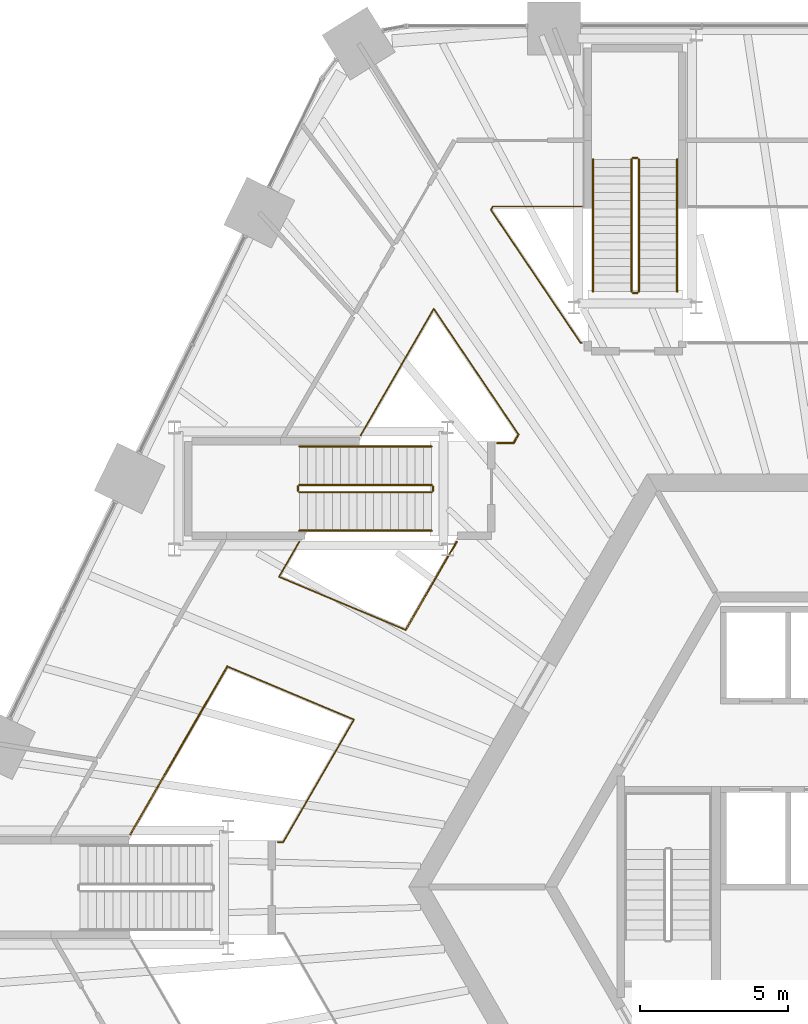
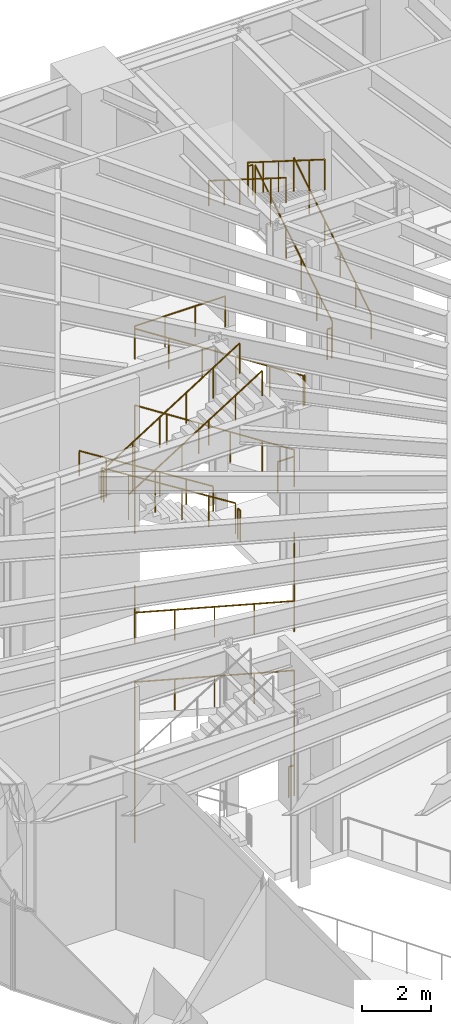
# One storey, part 30 of 32: 19 railings.
"""IFC4 building model written with IfcOpenShell, lengths in metres."""

from ifc_helpers import new_model, si_unit, direction, frame, origin, origin_2d, place, context, subcontext, project, spatial, circle, extrude, material, type_object, element, save


model = new_model("IFC4")

# Units and contexts
model_context = context("Model", 3, precision=1e-05, world=origin(), true_north=direction((0.0, 1.0)))
body_context = subcontext(model_context, "Body", "Model", "MODEL_VIEW")
ifc_project = project(units=[si_unit("LENGTHUNIT", "METRE"), si_unit("AREAUNIT", "SQUARE_METRE"), si_unit("VOLUMEUNIT", "CUBIC_METRE"), si_unit("PLANEANGLEUNIT", "RADIAN"), si_unit("MASSUNIT", "GRAM", prefix="KILO")], contexts=[model_context])

# Site, building, storey
site_placement = place(None, origin())
site = spatial("IfcSite", under=ifc_project, at=site_placement, CompositionType="ELEMENT")
building_placement = place(site_placement, origin())
building = spatial("IfcBuilding", under=site, at=building_placement, Name="Tarnside Tower", CompositionType="ELEMENT")
storey_placement = place(building_placement, frame((0.0, 0.0, 9.0)))
storey = spatial("IfcBuildingStorey", under=building, at=storey_placement, Name="L01", CompositionType="ELEMENT", Elevation=9.0)

# Railings
ifc_material_1 = material(Name="Safety glass", Category="glass")
railing_type_1 = type_object("IfcRailingType", Name="Guard 1100 glass", PredefinedType="GUARDRAIL", material=ifc_material_1)
railing_1_placement = place(storey_placement, frame((-10.289794921875, 18.43994140625, 0.0)))
element("IfcRailing", 1, at=railing_1_placement, inside=storey, type_object=railing_type_1, Name="Guard 16", PredefinedType="GUARDRAIL", context=body_context, shape_type="SweptSolid", body=[
    extrude(circle(Radius=0.02392578125, at=origin_2d()), frame((0.0, 0.0, 1.076171875), z_axis=(-1.0, 0.0, 0.0), x_axis=(0.0, -1.0, 0.0)), (0.0, 0.0, 1.0), 0.04931640625),
    extrude(circle(Radius=0.02392578125, at=origin_2d()), frame((-0.04931640625, 0.0, 1.076171875), z_axis=(-0.559179716336, 0.829046467237, 0.0), x_axis=(-0.829046467237, -0.559179716336, 0.0)), (0.0, 0.0, 1.0), 5.436279296875),
    extrude(circle(Radius=0.02392578125, at=origin_2d()), frame((-3.089111328125, 4.5068359375, 1.076171875), z_axis=(0.498751866102, 0.866744815998, 0.0), x_axis=(-0.866744815998, 0.498751866102, 0.0)), (0.0, 0.0, 1.0), 0.130615234375),
    extrude(circle(Radius=0.02392578125, at=origin_2d()), frame((-3.02392578125, 4.6201171875, 1.076171875), z_axis=(1.0, 0.0, 0.0), x_axis=(0.0, 1.0, 0.0)), (0.0, 0.0, 1.0), 3.02392578125),
    extrude(circle(Radius=0.02099609375, at=origin_2d()), origin(), (0.0, 0.0, 1.0), 1.052001953125),
    extrude(circle(Radius=0.02099609375, at=origin_2d()), frame((-0.04931640625, 0.0, 0.0)), (0.0, 0.0, 1.0), 1.052001953125),
    extrude(circle(Radius=0.02099609375, at=origin_2d()), frame((-0.6572265625, 0.9013671875, 0.0)), (0.0, 0.0, 1.0), 1.052001953125),
    extrude(circle(Radius=0.02099609375, at=origin_2d()), frame((-1.26513671875, 1.802734375, 0.0)), (0.0, 0.0, 1.0), 1.052001953125),
    extrude(circle(Radius=0.02099609375, at=origin_2d()), frame((-1.873291015625, 2.7041015625, 0.0)), (0.0, 0.0, 1.0), 1.052001953125),
    extrude(circle(Radius=0.02099609375, at=origin_2d()), frame((-2.481201171875, 3.60546875, 0.0)), (0.0, 0.0, 1.0), 1.052001953125),
    extrude(circle(Radius=0.02099609375, at=origin_2d()), frame((-3.089111328125, 4.5068359375, 0.0)), (0.0, 0.0, 1.0), 1.052001953125),
    extrude(circle(Radius=0.02099609375, at=origin_2d()), frame((-3.02392578125, 4.6201171875, 0.0)), (0.0, 0.0, 1.0), 1.052001953125),
    extrude(circle(Radius=0.02099609375, at=origin_2d()), frame((-2.015869140625, 4.6201171875, 0.0)), (0.0, 0.0, 1.0), 1.052001953125),
    extrude(circle(Radius=0.02099609375, at=origin_2d()), frame((-1.008056640625, 4.6201171875, 0.0)), (0.0, 0.0, 1.0), 1.052001953125),
    extrude(circle(Radius=0.02099609375, at=origin_2d()), frame((0.0, 4.6201171875, 0.0)), (0.0, 0.0, 1.0), 1.052001953125),
])
railing_2_placement = place(storey_placement, frame((-12.440673828125, 15.332275390625, 0.0)))
element("IfcRailing", 2, at=railing_2_placement, inside=storey, type_object=railing_type_1, Name="Guard 17", PredefinedType="GUARDRAIL", context=body_context, shape_type="SweptSolid", body=[
    extrude(circle(Radius=0.02392578125, at=origin_2d()), frame((0.0, 0.0, 1.076171875), z_axis=(-0.499952099219, -0.866053057547, 0.0), x_axis=(0.866053057547, -0.499952099219, 0.0)), (0.0, 0.0, 1.0), 0.33740234375),
    extrude(circle(Radius=0.02392578125, at=origin_2d()), frame((-0.168701171875, -0.292236328125, 1.076171875), z_axis=(-1.0, 0.0, 0.0), x_axis=(0.0, -1.0, 0.0)), (0.0, 0.0, 1.0), 0.5556640625),
    extrude(circle(Radius=0.02099609375, at=origin_2d()), origin(), (0.0, 0.0, 1.0), 1.052001953125),
    extrude(circle(Radius=0.02099609375, at=origin_2d()), frame((-0.168701171875, -0.292236328125, 0.0)), (0.0, 0.0, 1.0), 1.052001953125),
    extrude(circle(Radius=0.02099609375, at=origin_2d()), frame((-0.724365234375, -0.292236328125, 0.0)), (0.0, 0.0, 1.0), 1.052001953125),
])
railing_3_placement = place(storey_placement, frame((-17.7939453125, 15.300048828125, 0.0)))
element("IfcRailing", 3, at=railing_3_placement, inside=storey, type_object=railing_type_1, Name="Guard 18", PredefinedType="GUARDRAIL", context=body_context, shape_type="SweptSolid", body=[
    extrude(circle(Radius=0.02392578125, at=origin_2d()), frame((0.0, 0.0, 1.076171875), z_axis=(0.500005200548, 0.866022401226, 0.0), x_axis=(-0.866022401226, 0.500005200548, 0.0)), (0.0, 0.0, 1.0), 4.9580078125),
    extrude(circle(Radius=0.02392578125, at=origin_2d()), frame((2.47900390625, 4.293701171875, 1.076171875), z_axis=(0.559175074211, -0.829049598264, 0.0), x_axis=(0.829049598264, 0.559175074211, 0.0)), (0.0, 0.0, 1.0), 5.14013671875),
    extrude(circle(Radius=0.02099609375, at=origin_2d()), origin(), (0.0, 0.0, 1.0), 1.052001953125),
    extrude(circle(Radius=0.02099609375, at=origin_2d()), frame((0.495849609375, 0.858642578125, 0.0)), (0.0, 0.0, 1.0), 1.052001953125),
    extrude(circle(Radius=0.02099609375, at=origin_2d()), frame((0.99169921875, 1.717529296875, 0.0)), (0.0, 0.0, 1.0), 1.052001953125),
    extrude(circle(Radius=0.02099609375, at=origin_2d()), frame((1.4873046875, 2.576171875, 0.0)), (0.0, 0.0, 1.0), 1.052001953125),
    extrude(circle(Radius=0.02099609375, at=origin_2d()), frame((1.983154296875, 3.43505859375, 0.0)), (0.0, 0.0, 1.0), 1.052001953125),
    extrude(circle(Radius=0.02099609375, at=origin_2d()), frame((2.47900390625, 4.293701171875, 0.0)), (0.0, 0.0, 1.0), 1.052001953125),
    extrude(circle(Radius=0.02099609375, at=origin_2d()), frame((3.053955078125, 3.44140625, 0.0)), (0.0, 0.0, 1.0), 1.052001953125),
    extrude(circle(Radius=0.02099609375, at=origin_2d()), frame((3.628662109375, 2.589111328125, 0.0)), (0.0, 0.0, 1.0), 1.052001953125),
    extrude(circle(Radius=0.02099609375, at=origin_2d()), frame((4.20361328125, 1.73681640625, 0.0)), (0.0, 0.0, 1.0), 1.052001953125),
    extrude(circle(Radius=0.02099609375, at=origin_2d()), frame((4.7783203125, 0.884521484375, 0.0)), (0.0, 0.0, 1.0), 1.052001953125),
    extrude(circle(Radius=0.02099609375, at=origin_2d()), frame((5.353271484375, 0.0322265625, 0.0)), (0.0, 0.0, 1.0), 1.052001953125),
])
railing_4_placement = place(storey_placement, frame((-16.265380859375, 8.70751953125, 0.0)))
element("IfcRailing", 4, at=railing_4_placement, inside=storey, type_object=railing_type_1, Name="Guard 19", PredefinedType="GUARDRAIL", context=body_context, shape_type="SweptSolid", body=[
    extrude(circle(Radius=0.02392578125, at=origin_2d()), frame((0.0, 0.0, 1.076171875), z_axis=(-0.922199809455, 0.386713733194, 0.0), x_axis=(-0.386713733194, -0.922199809455, 0.0)), (0.0, 0.0, 1.0), 4.6572265625),
    extrude(circle(Radius=0.02392578125, at=origin_2d()), frame((-4.294921875, 1.801025390625, 1.076171875), z_axis=(0.500070628392, 0.865984622623, 0.0), x_axis=(-0.865984622623, 0.500070628392, 0.0)), (0.0, 0.0, 1.0), 1.375732421875),
    extrude(circle(Radius=0.02099609375, at=origin_2d()), origin(), (0.0, 0.0, 1.0), 1.052001953125),
    extrude(circle(Radius=0.02099609375, at=origin_2d()), frame((-1.07373046875, 0.4501953125, 0.0)), (0.0, 0.0, 1.0), 1.052001953125),
    extrude(circle(Radius=0.02099609375, at=origin_2d()), frame((-2.1474609375, 0.900390625, 0.0)), (0.0, 0.0, 1.0), 1.052001953125),
    extrude(circle(Radius=0.02099609375, at=origin_2d()), frame((-3.22119140625, 1.350830078125, 0.0)), (0.0, 0.0, 1.0), 1.052001953125),
    extrude(circle(Radius=0.02099609375, at=origin_2d()), frame((-4.294921875, 1.801025390625, 0.0)), (0.0, 0.0, 1.0), 1.052001953125),
    extrude(circle(Radius=0.02099609375, at=origin_2d()), frame((-3.950927734375, 2.396728515625, 0.0)), (0.0, 0.0, 1.0), 1.052001953125),
    extrude(circle(Radius=0.02099609375, at=origin_2d()), frame((-3.60693359375, 2.992431640625, 0.0)), (0.0, 0.0, 1.0), 1.052001953125),
])
railing_5_placement = place(storey_placement, frame((-14.53759765625, 11.699951171875, 0.0)))
element("IfcRailing", 5, at=railing_5_placement, inside=storey, type_object=railing_type_1, Name="Guard 20", PredefinedType="GUARDRAIL", context=body_context, shape_type="SweptSolid", body=[
    extrude(circle(Radius=0.02392578125, at=origin_2d()), frame((0.0, 0.0, 1.076171875), z_axis=(-0.500022136814, -0.866012622712, 0.0), x_axis=(0.866012622712, -0.500022136814, 0.0)), (0.0, 0.0, 1.0), 3.455322265625),
    extrude(circle(Radius=0.02099609375, at=origin_2d()), origin(), (0.0, 0.0, 1.0), 1.052001953125),
    extrude(circle(Radius=0.02099609375, at=origin_2d()), frame((-0.575927734375, -0.99755859375, 0.0)), (0.0, 0.0, 1.0), 1.052001953125),
    extrude(circle(Radius=0.02099609375, at=origin_2d()), frame((-1.15185546875, -1.994873046875, 0.0)), (0.0, 0.0, 1.0), 1.052001953125),
    extrude(circle(Radius=0.02099609375, at=origin_2d()), frame((-1.727783203125, -2.992431640625, 0.0)), (0.0, 0.0, 1.0), 1.052001953125),
])
railing_6_placement = place(storey_placement, frame((-22.314453125, 7.470458984375, 0.0)))
element("IfcRailing", 6, at=railing_6_placement, inside=storey, type_object=railing_type_1, Name="Guard 21", PredefinedType="GUARDRAIL", context=body_context, shape_type="SweptSolid", body=[
    extrude(circle(Radius=0.02392578125, at=origin_2d()), frame((0.0, 0.0, 1.076171875), z_axis=(0.922199809455, -0.386713733194, 0.0), x_axis=(0.386713733194, 0.922199809455, 0.0)), (0.0, 0.0, 1.0), 4.6572265625),
    extrude(circle(Radius=0.02392578125, at=origin_2d()), frame((4.294921875, -1.801025390625, 1.076171875), z_axis=(-0.499970627044, -0.866042361605, 0.0), x_axis=(0.866042361605, -0.499970627044, 0.0)), (0.0, 0.0, 1.0), 4.797119140625),
    extrude(circle(Radius=0.02392578125, at=origin_2d()), frame((1.896484375, -5.95556640625, 1.076171875), z_axis=(-1.0, 0.0, 0.0), x_axis=(0.0, -1.0, 0.0)), (0.0, 0.0, 1.0), 0.18701171875),
    extrude(circle(Radius=0.02099609375, at=origin_2d()), origin(), (0.0, 0.0, 1.0), 1.052001953125),
    extrude(circle(Radius=0.02099609375, at=origin_2d()), frame((1.07373046875, -0.4501953125, 0.0)), (0.0, 0.0, 1.0), 1.052001953125),
    extrude(circle(Radius=0.02099609375, at=origin_2d()), frame((2.1474609375, -0.900390625, 0.0)), (0.0, 0.0, 1.0), 1.052001953125),
    extrude(circle(Radius=0.02099609375, at=origin_2d()), frame((3.22119140625, -1.350830078125, 0.0)), (0.0, 0.0, 1.0), 1.052001953125),
    extrude(circle(Radius=0.02099609375, at=origin_2d()), frame((4.294921875, -1.801025390625, 0.0)), (0.0, 0.0, 1.0), 1.052001953125),
    extrude(circle(Radius=0.02099609375, at=origin_2d()), frame((3.6953125, -2.839599609375, 0.0)), (0.0, 0.0, 1.0), 1.052001953125),
    extrude(circle(Radius=0.02099609375, at=origin_2d()), frame((3.095703125, -3.87841796875, 0.0)), (0.0, 0.0, 1.0), 1.052001953125),
    extrude(circle(Radius=0.02099609375, at=origin_2d()), frame((2.49609375, -4.9169921875, 0.0)), (0.0, 0.0, 1.0), 1.052001953125),
    extrude(circle(Radius=0.02099609375, at=origin_2d()), frame((1.896484375, -5.95556640625, 0.0)), (0.0, 0.0, 1.0), 1.052001953125),
    extrude(circle(Radius=0.02099609375, at=origin_2d()), frame((1.70947265625, -5.95556640625, 0.0)), (0.0, 0.0, 1.0), 1.052001953125),
])
railing_7_placement = place(storey_placement, frame((-25.6025390625, 1.77490234375, 0.0)))
element("IfcRailing", 7, at=railing_7_placement, inside=storey, type_object=railing_type_1, Name="Guard 22", PredefinedType="GUARDRAIL", context=body_context, shape_type="SweptSolid", body=[
    extrude(circle(Radius=0.02392578125, at=origin_2d()), frame((0.0, 0.0, 1.076171875), z_axis=(0.49997203418, 0.866041549256, 0.0), x_axis=(-0.866041549256, 0.49997203418, 0.0)), (0.0, 0.0, 1.0), 6.57666015625),
    extrude(circle(Radius=0.02099609375, at=origin_2d()), origin(), (0.0, 0.0, 1.0), 1.052001953125),
    extrude(circle(Radius=0.02099609375, at=origin_2d()), frame((0.548095703125, 0.94921875, 0.0)), (0.0, 0.0, 1.0), 1.052001953125),
    extrude(circle(Radius=0.02099609375, at=origin_2d()), frame((1.095947265625, 1.8984375, 0.0)), (0.0, 0.0, 1.0), 1.052001953125),
    extrude(circle(Radius=0.02099609375, at=origin_2d()), frame((1.64404296875, 2.84765625, 0.0)), (0.0, 0.0, 1.0), 1.052001953125),
    extrude(circle(Radius=0.02099609375, at=origin_2d()), frame((2.192138671875, 3.797119140625, 0.0)), (0.0, 0.0, 1.0), 1.052001953125),
    extrude(circle(Radius=0.02099609375, at=origin_2d()), frame((2.739990234375, 4.746337890625, 0.0)), (0.0, 0.0, 1.0), 1.052001953125),
    extrude(circle(Radius=0.02099609375, at=origin_2d()), frame((3.2880859375, 5.695556640625, 0.0)), (0.0, 0.0, 1.0), 1.052001953125),
])
ifc_material_2 = material(Name="Stainless steel", Category="steel")
railing_type_2 = type_object("IfcRailingType", Name="Podium stair guard 1100", PredefinedType="GUARDRAIL", material=ifc_material_2)
railing_8_placement = place(storey_placement, frame((-8.36474609375, 20.179931640625, 0.176513671875)))
element("IfcRailing", 8, at=railing_8_placement, inside=storey, type_object=railing_type_2, Name="L01 PS1 stair guard 1", PredefinedType="GUARDRAIL", context=body_context, shape_type="SweptSolid", body=[
    extrude(circle(Radius=0.02392578125, at=origin_2d()), frame((0.0, 0.0, 1.076171875), z_axis=(0.0, 0.845997938375, 0.533186166611), x_axis=(-1.0, 0.0, 0.0)), (0.0, 0.0, 1.0), 5.29541015625),
    extrude(circle(Radius=0.02099609375, at=origin_2d()), origin(), (0.0, 0.0, 1.0), 1.052001953125),
    extrude(circle(Radius=0.02099609375, at=origin_2d()), frame((0.0, 0.89599609375, 0.564697265625)), (0.0, 0.0, 1.0), 1.052001953125),
    extrude(circle(Radius=0.02099609375, at=origin_2d()), frame((0.0, 1.7919921875, 1.12939453125)), (0.0, 0.0, 1.0), 1.052001953125),
    extrude(circle(Radius=0.02099609375, at=origin_2d()), frame((0.0, 2.68798828125, 1.694091796875)), (0.0, 0.0, 1.0), 1.052001953125),
    extrude(circle(Radius=0.02099609375, at=origin_2d()), frame((0.0, 3.583984375, 2.2587890625)), (0.0, 0.0, 1.0), 1.052001953125),
    extrude(circle(Radius=0.02099609375, at=origin_2d()), frame((0.0, 4.47998046875, 2.823486328125)), (0.0, 0.0, 1.0), 1.052001953125),
])
railing_9_placement = place(storey_placement, frame((-8.414794921875, 24.7099609375, 3.0)))
element("IfcRailing", 9, at=railing_9_placement, inside=storey, type_object=railing_type_2, Name="L01 PS1 stair guard 2", PredefinedType="GUARDRAIL", context=body_context, shape_type="SweptSolid", body=[
    extrude(circle(Radius=0.02392578125, at=origin_2d()), frame((0.0, 0.0, 1.076171875), z_axis=(-1.0, 0.0, 0.0), x_axis=(0.0, -1.0, 0.0)), (0.0, 0.0, 1.0), 0.14990234375),
    extrude(circle(Radius=0.02099609375, at=origin_2d()), origin(), (0.0, 0.0, 1.0), 1.052001953125),
    extrude(circle(Radius=0.02099609375, at=origin_2d()), frame((-0.14990234375, 0.0, 0.0)), (0.0, 0.0, 1.0), 1.052001953125),
])
railing_10_placement = place(storey_placement, frame((-8.61474609375, 24.659912109375, 3.176513671875)))
element("IfcRailing", 10, at=railing_10_placement, inside=storey, type_object=railing_type_2, Name="L01 PS1 stair guard 3", PredefinedType="GUARDRAIL", context=body_context, shape_type="SweptSolid", body=[
    extrude(circle(Radius=0.02392578125, at=origin_2d()), frame((0.0, 0.0, 1.076171875), z_axis=(0.0, -0.845997938375, 0.533186166611), x_axis=(1.0, 0.0, 0.0)), (0.0, 0.0, 1.0), 5.29541015625),
    extrude(circle(Radius=0.02099609375, at=origin_2d()), origin(), (0.0, 0.0, 1.0), 1.052001953125),
    extrude(circle(Radius=0.02099609375, at=origin_2d()), frame((0.0, -0.89599609375, 0.564697265625)), (0.0, 0.0, 1.0), 1.052001953125),
    extrude(circle(Radius=0.02099609375, at=origin_2d()), frame((0.0, -1.7919921875, 1.12939453125)), (0.0, 0.0, 1.0), 1.052001953125),
    extrude(circle(Radius=0.02099609375, at=origin_2d()), frame((0.0, -2.68798828125, 1.694091796875)), (0.0, 0.0, 1.0), 1.052001953125),
    extrude(circle(Radius=0.02099609375, at=origin_2d()), frame((0.0, -3.583984375, 2.2587890625)), (0.0, 0.0, 1.0), 1.052001953125),
    extrude(circle(Radius=0.02099609375, at=origin_2d()), frame((0.0, -4.47998046875, 2.823486328125)), (0.0, 0.0, 1.0), 1.052001953125),
])
railing_11_placement = place(storey_placement, frame((-8.414794921875, 20.1298828125, 0.0)))
element("IfcRailing", 11, at=railing_11_placement, inside=storey, type_object=railing_type_2, Name="L01 PS1 stair guard 4", PredefinedType="GUARDRAIL", context=body_context, shape_type="SweptSolid", body=[
    extrude(circle(Radius=0.02392578125, at=origin_2d()), frame((0.0, 0.0, 1.076171875), z_axis=(-1.0, 0.0, 0.0), x_axis=(0.0, -1.0, 0.0)), (0.0, 0.0, 1.0), 0.14990234375),
    extrude(circle(Radius=0.02099609375, at=origin_2d()), origin(), (0.0, 0.0, 1.0), 1.052001953125),
    extrude(circle(Radius=0.02099609375, at=origin_2d()), frame((-0.14990234375, 0.0, 0.0)), (0.0, 0.0, 1.0), 1.052001953125),
])
railing_12_placement = place(storey_placement, frame((-15.389892578125, 13.625, 0.176513671875)))
element("IfcRailing", 12, at=railing_12_placement, inside=storey, type_object=railing_type_2, Name="L01 PS6 stair guard 1", PredefinedType="GUARDRAIL", context=body_context, shape_type="SweptSolid", body=[
    extrude(circle(Radius=0.02392578125, at=origin_2d()), frame((0.0, 0.0, 1.076171875), z_axis=(-0.846011044237, 0.0, 0.533165371184), x_axis=(0.0, -1.0, 0.0)), (0.0, 0.0, 1.0), 5.295654296875),
    extrude(circle(Radius=0.02099609375, at=origin_2d()), origin(), (0.0, 0.0, 1.0), 1.052001953125),
    extrude(circle(Radius=0.02099609375, at=origin_2d()), frame((-0.89599609375, 0.0, 0.564697265625)), (0.0, 0.0, 1.0), 1.052001953125),
    extrude(circle(Radius=0.02099609375, at=origin_2d()), frame((-1.7919921875, 0.0, 1.12939453125)), (0.0, 0.0, 1.0), 1.052001953125),
    extrude(circle(Radius=0.02099609375, at=origin_2d()), frame((-2.688232421875, 0.0, 1.694091796875)), (0.0, 0.0, 1.0), 1.052001953125),
    extrude(circle(Radius=0.02099609375, at=origin_2d()), frame((-3.584228515625, 0.0, 2.2587890625)), (0.0, 0.0, 1.0), 1.052001953125),
    extrude(circle(Radius=0.02099609375, at=origin_2d()), frame((-4.480224609375, 0.0, 2.823486328125)), (0.0, 0.0, 1.0), 1.052001953125),
])
railing_13_placement = place(storey_placement, frame((-19.919921875, 13.574951171875, 3.0)))
element("IfcRailing", 13, at=railing_13_placement, inside=storey, type_object=railing_type_2, Name="L01 PS6 stair guard 2", PredefinedType="GUARDRAIL", context=body_context, shape_type="SweptSolid", body=[
    extrude(circle(Radius=0.02392578125, at=origin_2d()), frame((0.0, 0.0, 1.076171875), z_axis=(0.0, -1.0, 0.0), x_axis=(1.0, 0.0, 0.0)), (0.0, 0.0, 1.0), 0.14990234375),
    extrude(circle(Radius=0.02099609375, at=origin_2d()), origin(), (0.0, 0.0, 1.0), 1.052001953125),
    extrude(circle(Radius=0.02099609375, at=origin_2d()), frame((0.0, -0.14990234375, 0.0)), (0.0, 0.0, 1.0), 1.052001953125),
])
railing_14_placement = place(storey_placement, frame((-19.8701171875, 13.375, 3.176513671875)))
element("IfcRailing", 14, at=railing_14_placement, inside=storey, type_object=railing_type_2, Name="L01 PS6 stair guard 3", PredefinedType="GUARDRAIL", context=body_context, shape_type="SweptSolid", body=[
    extrude(circle(Radius=0.02392578125, at=origin_2d()), frame((0.0, 0.0, 1.076171875), z_axis=(0.846011044237, 0.0, 0.533165371184), x_axis=(0.0, 1.0, 0.0)), (0.0, 0.0, 1.0), 5.295654296875),
    extrude(circle(Radius=0.02099609375, at=origin_2d()), origin(), (0.0, 0.0, 1.0), 1.052001953125),
    extrude(circle(Radius=0.02099609375, at=origin_2d()), frame((0.89599609375, 0.0, 0.564697265625)), (0.0, 0.0, 1.0), 1.052001953125),
    extrude(circle(Radius=0.02099609375, at=origin_2d()), frame((1.7919921875, 0.0, 1.12939453125)), (0.0, 0.0, 1.0), 1.052001953125),
    extrude(circle(Radius=0.02099609375, at=origin_2d()), frame((2.688232421875, 0.0, 1.694091796875)), (0.0, 0.0, 1.0), 1.052001953125),
    extrude(circle(Radius=0.02099609375, at=origin_2d()), frame((3.584228515625, 0.0, 2.2587890625)), (0.0, 0.0, 1.0), 1.052001953125),
    extrude(circle(Radius=0.02099609375, at=origin_2d()), frame((4.480224609375, 0.0, 2.823486328125)), (0.0, 0.0, 1.0), 1.052001953125),
])
railing_15_placement = place(storey_placement, frame((-15.340087890625, 13.574951171875, 0.0)))
element("IfcRailing", 15, at=railing_15_placement, inside=storey, type_object=railing_type_2, Name="L01 PS6 stair guard 4", PredefinedType="GUARDRAIL", context=body_context, shape_type="SweptSolid", body=[
    extrude(circle(Radius=0.02392578125, at=origin_2d()), frame((0.0, 0.0, 1.076171875), z_axis=(0.0, -1.0, 0.0), x_axis=(1.0, 0.0, 0.0)), (0.0, 0.0, 1.0), 0.14990234375),
    extrude(circle(Radius=0.02099609375, at=origin_2d()), origin(), (0.0, 0.0, 1.0), 1.052001953125),
    extrude(circle(Radius=0.02099609375, at=origin_2d()), frame((0.0, -0.14990234375, 0.0)), (0.0, 0.0, 1.0), 1.052001953125),
])
railing_type_3 = type_object("IfcRailingType", Name="Podium stair handrail 900", PredefinedType="HANDRAIL", material=ifc_material_2)
railing_16_placement = place(storey_placement, frame((-7.064697265625, 20.179931640625, 0.176513671875)))
element("IfcRailing", 16, at=railing_16_placement, inside=storey, type_object=railing_type_3, Name="L01 PS1 stair handrail 1", PredefinedType="HANDRAIL", context=body_context, shape_type="SweptSolid", body=[
    extrude(circle(Radius=0.02392578125, at=origin_2d()), frame((0.0, 0.0, 0.8857421875), z_axis=(0.0, 0.845997938375, 0.533186166611), x_axis=(-1.0, 0.0, 0.0)), (0.0, 0.0, 1.0), 5.29541015625),
    extrude(circle(Radius=0.02099609375, at=origin_2d()), origin(), (0.0, 0.0, 1.0), 0.86181640625),
    extrude(circle(Radius=0.02099609375, at=origin_2d()), frame((0.0, 0.89599609375, 0.564697265625)), (0.0, 0.0, 1.0), 0.86181640625),
    extrude(circle(Radius=0.02099609375, at=origin_2d()), frame((0.0, 1.7919921875, 1.12939453125)), (0.0, 0.0, 1.0), 0.86181640625),
    extrude(circle(Radius=0.02099609375, at=origin_2d()), frame((0.0, 2.68798828125, 1.694091796875)), (0.0, 0.0, 1.0), 0.86181640625),
    extrude(circle(Radius=0.02099609375, at=origin_2d()), frame((0.0, 3.583984375, 2.2587890625)), (0.0, 0.0, 1.0), 0.86181640625),
    extrude(circle(Radius=0.02099609375, at=origin_2d()), frame((0.0, 4.47998046875, 2.823486328125)), (0.0, 0.0, 1.0), 0.86181640625),
])
railing_17_placement = place(storey_placement, frame((-9.914794921875, 24.659912109375, 3.176513671875)))
element("IfcRailing", 17, at=railing_17_placement, inside=storey, type_object=railing_type_3, Name="L01 PS1 stair handrail 2", PredefinedType="HANDRAIL", context=body_context, shape_type="SweptSolid", body=[
    extrude(circle(Radius=0.02392578125, at=origin_2d()), frame((0.0, 0.0, 0.8857421875), z_axis=(0.0, -0.845997938375, 0.533186166611), x_axis=(1.0, 0.0, 0.0)), (0.0, 0.0, 1.0), 5.29541015625),
    extrude(circle(Radius=0.02099609375, at=origin_2d()), origin(), (0.0, 0.0, 1.0), 0.86181640625),
    extrude(circle(Radius=0.02099609375, at=origin_2d()), frame((0.0, -0.89599609375, 0.564697265625)), (0.0, 0.0, 1.0), 0.86181640625),
    extrude(circle(Radius=0.02099609375, at=origin_2d()), frame((0.0, -1.7919921875, 1.12939453125)), (0.0, 0.0, 1.0), 0.86181640625),
    extrude(circle(Radius=0.02099609375, at=origin_2d()), frame((0.0, -2.68798828125, 1.694091796875)), (0.0, 0.0, 1.0), 0.86181640625),
    extrude(circle(Radius=0.02099609375, at=origin_2d()), frame((0.0, -3.583984375, 2.2587890625)), (0.0, 0.0, 1.0), 0.86181640625),
    extrude(circle(Radius=0.02099609375, at=origin_2d()), frame((0.0, -4.47998046875, 2.823486328125)), (0.0, 0.0, 1.0), 0.86181640625),
])
railing_18_placement = place(storey_placement, frame((-15.389892578125, 14.925048828125, 0.176513671875)))
element("IfcRailing", 18, at=railing_18_placement, inside=storey, type_object=railing_type_3, Name="L01 PS6 stair handrail 1", PredefinedType="HANDRAIL", context=body_context, shape_type="SweptSolid", body=[
    extrude(circle(Radius=0.02392578125, at=origin_2d()), frame((0.0, 0.0, 0.8857421875), z_axis=(-0.846011044237, 0.0, 0.533165371184), x_axis=(0.0, -1.0, 0.0)), (0.0, 0.0, 1.0), 5.295654296875),
    extrude(circle(Radius=0.02099609375, at=origin_2d()), origin(), (0.0, 0.0, 1.0), 0.86181640625),
    extrude(circle(Radius=0.02099609375, at=origin_2d()), frame((-0.89599609375, 0.0, 0.564697265625)), (0.0, 0.0, 1.0), 0.86181640625),
    extrude(circle(Radius=0.02099609375, at=origin_2d()), frame((-1.7919921875, 0.0, 1.12939453125)), (0.0, 0.0, 1.0), 0.86181640625),
    extrude(circle(Radius=0.02099609375, at=origin_2d()), frame((-2.688232421875, 0.0, 1.694091796875)), (0.0, 0.0, 1.0), 0.86181640625),
    extrude(circle(Radius=0.02099609375, at=origin_2d()), frame((-3.584228515625, 0.0, 2.2587890625)), (0.0, 0.0, 1.0), 0.86181640625),
    extrude(circle(Radius=0.02099609375, at=origin_2d()), frame((-4.480224609375, 0.0, 2.823486328125)), (0.0, 0.0, 1.0), 0.86181640625),
])
railing_19_placement = place(storey_placement, frame((-19.8701171875, 12.074951171875, 3.176513671875)))
element("IfcRailing", 19, at=railing_19_placement, inside=storey, type_object=railing_type_3, Name="L01 PS6 stair handrail 2", PredefinedType="HANDRAIL", context=body_context, shape_type="SweptSolid", body=[
    extrude(circle(Radius=0.02392578125, at=origin_2d()), frame((0.0, 0.0, 0.8857421875), z_axis=(0.846011044237, 0.0, 0.533165371184), x_axis=(0.0, 1.0, 0.0)), (0.0, 0.0, 1.0), 5.295654296875),
    extrude(circle(Radius=0.02099609375, at=origin_2d()), origin(), (0.0, 0.0, 1.0), 0.86181640625),
    extrude(circle(Radius=0.02099609375, at=origin_2d()), frame((0.89599609375, 0.0, 0.564697265625)), (0.0, 0.0, 1.0), 0.86181640625),
    extrude(circle(Radius=0.02099609375, at=origin_2d()), frame((1.7919921875, 0.0, 1.12939453125)), (0.0, 0.0, 1.0), 0.86181640625),
    extrude(circle(Radius=0.02099609375, at=origin_2d()), frame((2.688232421875, 0.0, 1.694091796875)), (0.0, 0.0, 1.0), 0.86181640625),
    extrude(circle(Radius=0.02099609375, at=origin_2d()), frame((3.584228515625, 0.0, 2.2587890625)), (0.0, 0.0, 1.0), 0.86181640625),
    extrude(circle(Radius=0.02099609375, at=origin_2d()), frame((4.480224609375, 0.0, 2.823486328125)), (0.0, 0.0, 1.0), 0.86181640625),
])

save(model, "model.ifc")
